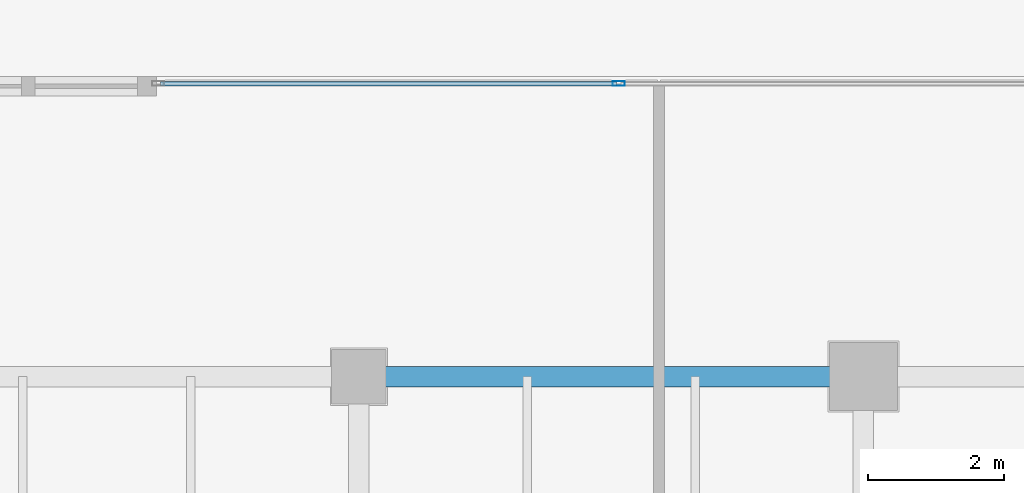
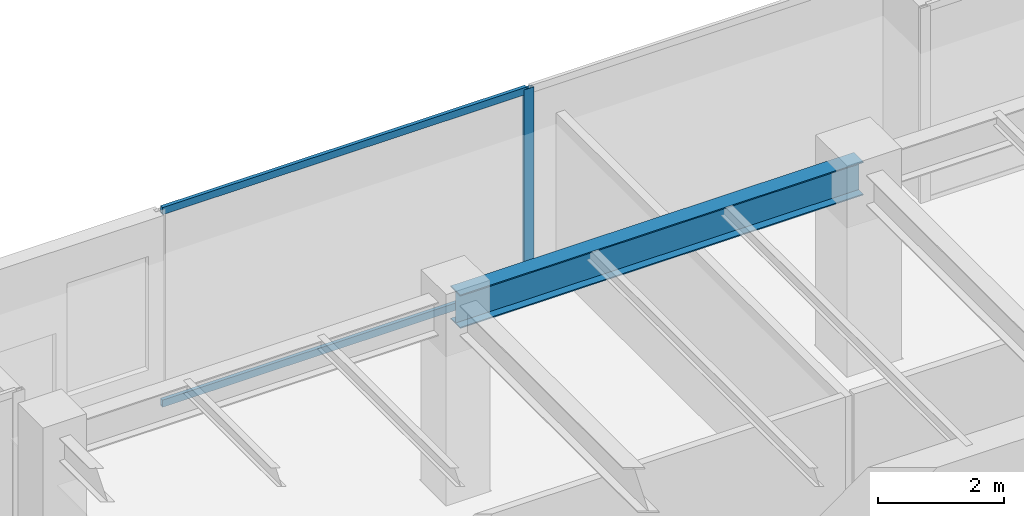
# One storey, part 15 of 35: 3 members, 1 beam, 1 element without a shape of its own.
"""IFC4 building model written with IfcOpenShell, lengths in metres."""

from ifc_helpers import new_model, si_unit, direction, frame, origin, origin_2d, place, context, subcontext, project, spatial, hollow_rectangle, i_section, extrude, source, transform, mapped, material, layer, layer_set, material_profile, profile_set, type_object, type_shapes, element, aggregate, save


model = new_model("IFC4")

# Units and contexts
model_context = context("Model", 3, precision=1e-05, world=origin(), true_north=direction((0.0, 1.0)))
body_context = subcontext(model_context, "Body", "Model", "MODEL_VIEW")
ifc_project = project(units=[si_unit("LENGTHUNIT", "METRE"), si_unit("AREAUNIT", "SQUARE_METRE"), si_unit("VOLUMEUNIT", "CUBIC_METRE"), si_unit("PLANEANGLEUNIT", "RADIAN"), si_unit("MASSUNIT", "GRAM", prefix="KILO")], contexts=[model_context])

# Site, building, storey
site_placement = place(None, origin())
site = spatial("IfcSite", under=ifc_project, at=site_placement, CompositionType="ELEMENT")
building_placement = place(site_placement, origin())
building = spatial("IfcBuilding", under=site, at=building_placement, Name="Haelvirn Gate Laboratories", CompositionType="ELEMENT")
storey_placement = place(building_placement, frame((0.0, 0.0, 283.39990234375)))
storey = spatial("IfcBuildingStorey", under=building, at=storey_placement, Name="L68", CompositionType="ELEMENT", Elevation=283.39990234375)

# Beam
ifc_material_1 = material(Name="Steel SM355", Category="steel")
ifc_material_profile_1 = material_profile(ifc_material_1, i_section(OverallWidth=0.300048828125, OverallDepth=0.64990234375, WebThickness=0.012939453125, FlangeThickness=0.02197265625, at=origin_2d()), Name="H-650x300x13x22")
ifc_profile_set_1 = profile_set([ifc_material_profile_1], Name="Steel SM355")
beam_type = type_object("IfcBeamType", Name="BM-G-650", PredefinedType="BEAM", material=ifc_profile_set_1)
shared_shape_1 = source(origin(), body_context, "Body", "SweptSolid", [
    extrude(i_section(OverallWidth=0.300048828125, OverallDepth=0.64990234375, WebThickness=0.012939453125, FlangeThickness=0.02197265625, at=origin_2d()), origin(), (0.0, 0.0, 1.0), 7.39990234375),
])
type_shapes(beam_type, [shared_shape_1])
beam_placement = place(storey_placement, frame((14.800048828125, 41.60009765625, 3.47509765625), z_axis=(1.0, 0.0, 0.0), x_axis=(0.0, 1.0, 0.0)))
element("IfcBeam", 1, at=beam_placement, inside=storey, type_object=beam_type, Name="L68 Primary Girder Y41.6 (14.8-22.2)", PredefinedType="BEAM", context=body_context, shape_type="MappedRepresentation", body=[
    mapped(shared_shape_1, transform((0.0, 0.0, 0.0), scale=1.0)),
])

# Curtain wall, members
ifc_material_2 = material(Name="Anodised bronze unitised aluminium & triple low-E glass", Category="aluminium")
ifc_layer = layer(ifc_material_2, 0.176025390625, Name="CW-SYS-4")
ifc_layer_set = layer_set([ifc_layer], Name="Anodised bronze unitised aluminium & triple low-E glass")
curtain_wall_type = type_object("IfcCurtainWallType", Name="CW-SYS-4", PredefinedType="NOTDEFINED", material=ifc_layer_set)
curtain_wall_placement = place(storey_placement, origin())
curtain_wall = element("IfcCurtainWall", 2, at=curtain_wall_placement, inside=storey, type_object=curtain_wall_type, Name="L68 Unitised Curtain Wall CW-L68-P0-E14-2", PredefinedType="NOTDEFINED")
ifc_material_3 = material(Name="Extruded aluminium 6063-T6 (anodised bronze)", Category="aluminium")
ifc_material_profile_2 = material_profile(ifc_material_3, hollow_rectangle(XDim=0.070068359375, YDim=0.179931640625, WallThickness=0.0048828125, at=origin_2d()), Name="CWM-180x70x5")
ifc_profile_set_2 = profile_set([ifc_material_profile_2], Name="Extruded aluminium 6063-T6 (anodised bronze)")
member_type_1 = type_object("IfcMemberType", Name="CWM-T180", PredefinedType="MULLION", material=ifc_profile_set_2)
shared_shape_2 = source(origin(), body_context, "Body", "SweptSolid", [
    extrude(hollow_rectangle(XDim=0.070068359375, YDim=0.179931640625, WallThickness=0.0048828125, at=origin_2d()), origin(), (0.0, 0.0, 1.0), 3.800048828125),
])
type_shapes(member_type_1, [shared_shape_2])
member_1_placement = place(storey_placement, frame((18.610107421875, 45.89990234375, 0.0), z_axis=(0.0, 0.0, 1.0), x_axis=(0.0, 1.0, 0.0)))
member_1 = element("IfcMember", 3, at=member_1_placement, type_object=member_type_1, Name="CW4 mullion 2", PredefinedType="MULLION", context=body_context, shape_type="MappedRepresentation", body=[
    mapped(shared_shape_2, transform((0.0, 0.0, 0.0), scale=1.0)),
])
ifc_material_profile_3 = material_profile(ifc_material_3, hollow_rectangle(XDim=0.06494140625, YDim=0.139892578125, WallThickness=0.00390625, at=origin_2d()), Name="CWT-140x65x4")
ifc_profile_set_3 = profile_set([ifc_material_profile_3], Name="Extruded aluminium 6063-T6 (anodised bronze)")
member_type_2 = type_object("IfcMemberType", Name="CWT-T140", PredefinedType="USERDEFINED", material=ifc_profile_set_3)
shared_shape_3 = source(origin(), body_context, "Body", "SweptSolid", [
    extrude(hollow_rectangle(XDim=0.06494140625, YDim=0.139892578125, WallThickness=0.00390625, at=origin_2d()), origin(), (0.0, 0.0, 1.0), 6.68505859375),
])
type_shapes(member_type_2, [shared_shape_3])
member_2_placement = place(storey_placement, frame((11.889892578125, 45.89990234375, 0.03271484375), z_axis=(1.0, 0.0, 0.0), x_axis=(0.0, 1.0, 0.0)))
member_2 = element("IfcMember", 4, at=member_2_placement, type_object=member_type_2, Name="CW4 transom 1.1", ObjectType="TRANSOM", PredefinedType="USERDEFINED", context=body_context, shape_type="MappedRepresentation", body=[
    mapped(shared_shape_3, transform((0.0, 0.0, 0.0), scale=1.0)),
])
member_3_placement = place(storey_placement, frame((11.889892578125, 45.89990234375, 3.767578125), z_axis=(1.0, 0.0, 0.0), x_axis=(0.0, 1.0, 0.0)))
member_3 = element("IfcMember", 5, at=member_3_placement, type_object=member_type_2, Name="CW4 transom 1.2", ObjectType="TRANSOM", PredefinedType="USERDEFINED", context=body_context, shape_type="MappedRepresentation", body=[
    mapped(shared_shape_3, transform((0.0, 0.0, 0.0), scale=1.0)),
])
aggregate(curtain_wall, [member_1, member_2, member_3])

save(model, "model.ifc")
